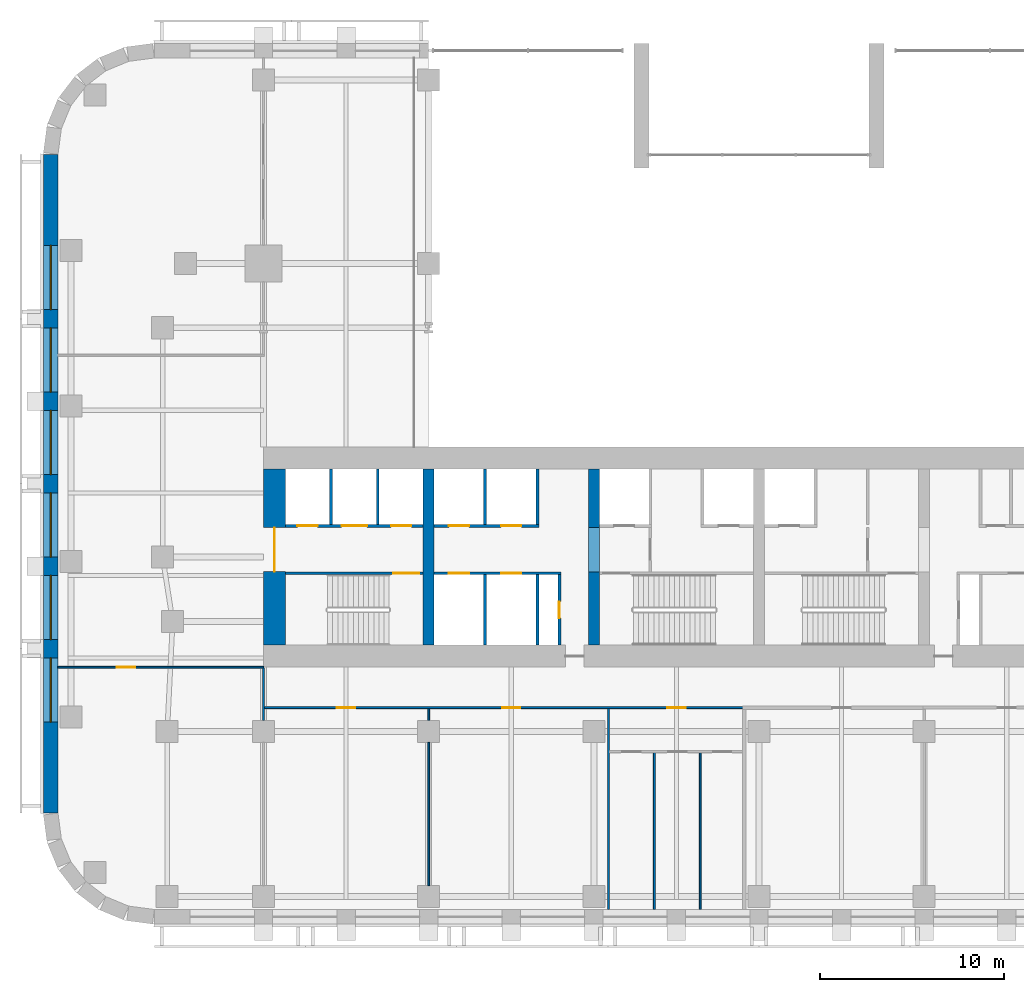
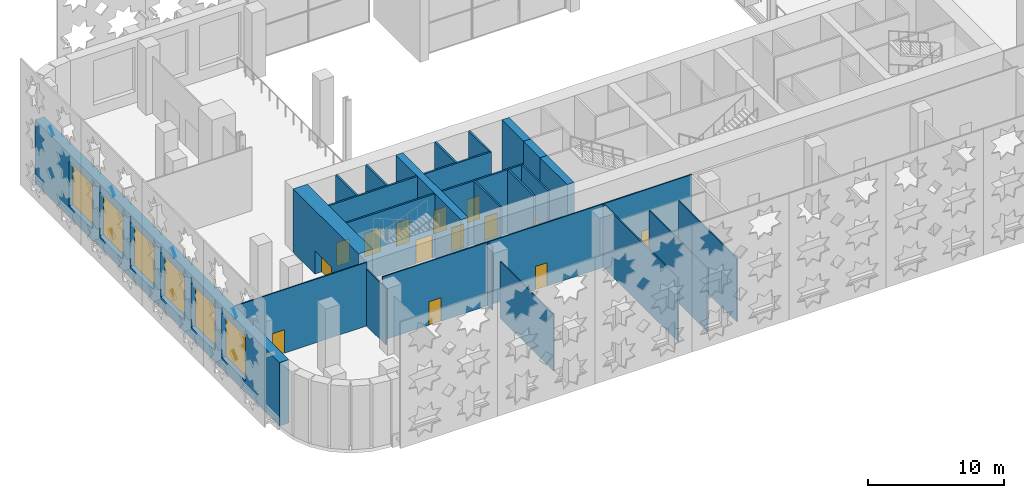
# One storey, part 5 of 17: 25 walls, 14 doors, 6 windows, 20 openings.
"""IFC4 building model written with IfcOpenShell, lengths in metres."""

from ifc_helpers import new_model, si_unit, direction, frame, frame_2d, origin, place, context, subcontext, project, spatial, rectangle, extrude, material, layer, layer_set, type_object, element, fill, save


model = new_model("IFC4")

# Units and contexts
model_context = context("Model", 3, precision=1e-05, world=origin(), true_north=direction((0.0, 1.0)))
body_context = subcontext(model_context, "Body", "Model", "MODEL_VIEW")
ifc_project = project(units=[si_unit("LENGTHUNIT", "METRE"), si_unit("AREAUNIT", "SQUARE_METRE"), si_unit("VOLUMEUNIT", "CUBIC_METRE"), si_unit("PLANEANGLEUNIT", "RADIAN"), si_unit("MASSUNIT", "GRAM", prefix="KILO")], contexts=[model_context])

# Site, building, storey
site_placement = place(None, origin())
site = spatial("IfcSite", under=ifc_project, at=site_placement, CompositionType="ELEMENT")
building_placement = place(site_placement, origin())
building = spatial("IfcBuilding", under=site, at=building_placement, Name="Zellij Exchange Tower", CompositionType="ELEMENT")
storey_placement = place(building_placement, frame((0.0, 0.0, 9.0)))
storey = spatial("IfcBuildingStorey", under=building, at=storey_placement, Name="L01", CompositionType="ELEMENT", Elevation=9.0)

# Walls
ifc_material_1 = material(Name="Concrete C70/85", Category="concrete")
ifc_layer_1 = layer(ifc_material_1, 0.60009765625)
ifc_layer_set_1 = layer_set([ifc_layer_1], Name="Concrete C70/85")
wall_type_1 = type_object("IfcWallType", Name="CORE-CW 600 C70/85", PredefinedType="SHEAR", material=ifc_layer_set_1)
wall_1_placement = place(storey_placement, frame((-18.0, -12.800048828125, 0.0), z_axis=(0.0, 0.0, 1.0), x_axis=(0.0, 1.0, 0.0)))
element("IfcWall", 1, at=wall_1_placement, inside=storey, type_object=wall_type_1, Name="Core cross wall x -18 L01", PredefinedType="SHEAR", context=body_context, shape_type="SweptSolid", body=[
    extrude(rectangle(XDim=9.60009765625, YDim=0.60009765625, at=frame_2d((4.800048828125, 0.0))), origin(), (0.0, 0.0, 1.0), 5.699951171875),
])
wall_2_placement = place(storey_placement, frame((-9.0, -12.800048828125, 0.0), z_axis=(0.0, 0.0, 1.0), x_axis=(0.0, 1.0, 0.0)))
element("IfcWall", 2, at=wall_2_placement, inside=storey, type_object=wall_type_1, Name="Core cross wall pier x -9 a L01", PredefinedType="SHEAR", context=body_context, shape_type="SweptSolid", body=[
    extrude(rectangle(XDim=4.0, YDim=0.60009765625, at=frame_2d((2.0, 0.0))), origin(), (0.0, 0.0, 1.0), 5.699951171875),
])
wall_3_placement = place(storey_placement, frame((-9.0, -6.375, 0.0), z_axis=(0.0, 0.0, 1.0), x_axis=(0.0, 1.0, 0.0)))
element("IfcWall", 3, at=wall_3_placement, inside=storey, type_object=wall_type_1, Name="Core cross wall pier x -9 b L01", PredefinedType="SHEAR", context=body_context, shape_type="SweptSolid", body=[
    extrude(rectangle(XDim=3.175048828125, YDim=0.60009765625, at=frame_2d((1.58740234375, 0.0))), origin(), (0.0, 0.0, 1.0), 5.699951171875),
])
wall_4_placement = place(storey_placement, frame((-9.0, -8.800048828125, 3.60009765625), z_axis=(0.0, 0.0, 1.0), x_axis=(0.0, 1.0, 0.0)))
element("IfcWall", 4, at=wall_4_placement, inside=storey, type_object=wall_type_1, Name="Core cross wall over opening x -9 L01", PredefinedType="SHEAR", context=body_context, shape_type="SweptSolid", body=[
    extrude(rectangle(XDim=2.425048828125, YDim=0.60009765625, at=frame_2d((1.21240234375, 0.0))), origin(), (0.0, 0.0, 1.0), 2.099853515625),
])

# Wall, opening, door
ifc_material_2 = material(Name="Gypsum board partition")
ifc_layer_2 = layer(ifc_material_2, 0.14990234375)
ifc_layer_set_2 = layer_set([ifc_layer_2], Name="Gypsum board partition")
wall_type_2 = type_object("IfcWallType", Name="CORE-PW 150 Lift lobby wall", PredefinedType="PARTITIONING", material=ifc_layer_set_2)
wall_5_placement = place(storey_placement, frame((-10.875, -12.800048828125, 0.0), z_axis=(0.0, 0.0, 1.0), x_axis=(0.0, 1.0, 0.0)))
wall_5 = element("IfcWall", 5, at=wall_5_placement, inside=storey, type_object=wall_type_2, Name="Lift lobby wall L01", PredefinedType="PARTITIONING", context=body_context, shape_type="SweptSolid", body=[
    extrude(rectangle(XDim=3.85009765625, YDim=0.14990234375, at=frame_2d((1.925048828125, 0.0))), origin(), (0.0, 0.0, 1.0), 5.699951171875),
])
opening_1_placement = place(wall_5_placement, frame((1.47509765625, 0.0, 0.0)))
opening_1 = element("IfcOpeningElement", 6, at=opening_1_placement, cuts=wall_5, Name="Opening CA-04.10", PredefinedType="OPENING", context=body_context, shape_type="SweptSolid", body=[
    extrude(rectangle(XDim=0.89990234375, YDim=2.10009765625, at=frame_2d((0.449951171875, 1.050048828125))), frame((0.0, 0.0869140625, 0.0), z_axis=(0.0, -1.0, 0.0), x_axis=(1.0, 0.0, 0.0)), (0.0, 0.0, 1.0), 0.173828125),
])
ifc_material_3 = material(Name="Hollow metal fire door")
door_type_1 = type_object("IfcDoorType", Name="CORE-D RD Riser door 900x2100 1.5 HR", OperationType="NOTDEFINED", PredefinedType="DOOR", material=ifc_material_3)
door_1_placement = place(opening_1_placement, origin())
door_1 = element("IfcDoor", 7, at=door_1_placement, inside=storey, type_object=door_type_1, Name="Riser door CA-04.10", OperationType="SINGLE_SWING_RIGHT", OverallHeight=2.10009765625, OverallWidth=0.89990234375, PredefinedType="DOOR", context=body_context, shape_type="SweptSolid", body=[
    extrude(rectangle(XDim=0.89990234375, YDim=2.10009765625, at=frame_2d((0.449951171875, 1.050048828125))), frame((0.0, 0.02490234375, 0.0), z_axis=(0.0, -1.0, 0.0), x_axis=(1.0, 0.0, 0.0)), (0.0, 0.0, 1.0), 0.050048828125),
])
fill(opening_1, door_1)

# Walls
ifc_material_4 = material(Name="Gypsum shaft wall system")
ifc_layer_3 = layer(ifc_material_4, 0.14990234375)
ifc_layer_set_3 = layer_set([ifc_layer_3], Name="Gypsum shaft wall system")
wall_type_3 = type_object("IfcWallType", Name="CORE-PW 150 Lift shaft wall", PredefinedType="PARTITIONING", material=ifc_layer_set_3)
for number, where, z_axis, x_axis, name in (
    (8, (-20.77490234375, -6.22509765625, 0.0), (0.0, 0.0, 1.0), (0.0, 1.0, 0.0), "Lift shaft wall L01"),
    (9, (-23.324951171875, -6.22509765625, 0.0), (0.0, 0.0, 1.0), (0.0, 1.0, 0.0), "Lift shaft wall L01"),
    (10, (-12.074951171875, -6.22509765625, 0.0), (0.0, 0.0, 1.0), (0.0, 1.0, 0.0), "Lift shaft wall L01"),
    (11, (-14.925048828125, -6.22509765625, 0.0), (0.0, 0.0, 1.0), (0.0, 1.0, 0.0), "Lift shaft wall L01"),
):
    element("IfcWall", number, at=place(storey_placement, frame(where, z_axis=z_axis, x_axis=x_axis)), inside=storey, type_object=wall_type_3, Name=name, PredefinedType="PARTITIONING", context=body_context, shape_type="SweptSolid", body=[
        extrude(rectangle(XDim=3.025146484375, YDim=0.14990234375, at=frame_2d((1.5126953125, 0.0))), origin(), (0.0, 0.0, 1.0), 5.699951171875),
    ])
for number, where, z_axis, x_axis, name in (
    (12, (-12.074951171875, -12.800048828125, 0.0), (0.0, 0.0, 1.0), (0.0, 1.0, 0.0), "Lift shaft wall L01"),
    (13, (-14.925048828125, -12.800048828125, 0.0), (0.0, 0.0, 1.0), (0.0, 1.0, 0.0), "Lift shaft wall L01"),
):
    element("IfcWall", number, at=place(storey_placement, frame(where, z_axis=z_axis, x_axis=x_axis)), inside=storey, type_object=wall_type_3, Name=name, PredefinedType="PARTITIONING", context=body_context, shape_type="SweptSolid", body=[
        extrude(rectangle(XDim=3.85009765625, YDim=0.14990234375, at=frame_2d((1.925048828125, 0.0))), origin(), (0.0, 0.0, 1.0), 5.699951171875),
    ])

# Wall, openings, doors
wall_6_placement = place(storey_placement, frame((-25.800048828125, -6.300048828125, 0.0), z_axis=(0.0, 0.0, 1.0), x_axis=(1.0, 0.0, 0.0)))
wall_6 = element("IfcWall", 14, at=wall_6_placement, inside=storey, type_object=wall_type_3, Name="Lift shaft wall L01", PredefinedType="PARTITIONING", context=body_context, shape_type="SweptSolid", body=[
    extrude(rectangle(XDim=7.5, YDim=0.14990234375, at=frame_2d((3.75, 0.0))), origin(), (0.0, 0.0, 1.0), 5.699951171875),
])
opening_2_placement = place(wall_6_placement, frame((0.64990234375, 0.0, 0.0)))
opening_2 = element("IfcOpeningElement", 15, at=opening_2_placement, cuts=wall_6, Name="Opening CA-04.02", PredefinedType="OPENING", context=body_context, shape_type="SweptSolid", body=[
    extrude(rectangle(XDim=1.10009765625, YDim=2.10009765625, at=frame_2d((0.550048828125, 1.050048828125))), frame((0.0, 0.0869140625, 0.0), z_axis=(0.0, -1.0, 0.0), x_axis=(1.0, 0.0, 0.0)), (0.0, 0.0, 1.0), 0.173828125),
])
opening_3_placement = place(wall_6_placement, frame((3.050048828125, 0.0, 0.0)))
opening_3 = element("IfcOpeningElement", 16, at=opening_3_placement, cuts=wall_6, Name="Opening CA-04.03", PredefinedType="OPENING", context=body_context, shape_type="SweptSolid", body=[
    extrude(rectangle(XDim=1.39990234375, YDim=2.10009765625, at=frame_2d((0.699951171875, 1.050048828125))), frame((0.0, 0.0869140625, 0.0), z_axis=(0.0, -1.0, 0.0), x_axis=(1.0, 0.0, 0.0)), (0.0, 0.0, 1.0), 0.173828125),
])
opening_4_placement = place(wall_6_placement, frame((5.75, 0.0, 0.0)))
opening_4 = element("IfcOpeningElement", 17, at=opening_4_placement, cuts=wall_6, Name="Opening CA-04.04", PredefinedType="OPENING", context=body_context, shape_type="SweptSolid", body=[
    extrude(rectangle(XDim=1.10009765625, YDim=2.10009765625, at=frame_2d((0.550048828125, 1.050048828125))), frame((0.0, 0.0869140625, 0.0), z_axis=(0.0, -1.0, 0.0), x_axis=(1.0, 0.0, 0.0)), (0.0, 0.0, 1.0), 0.173828125),
])
door_type_2 = type_object("IfcDoorType", Name="CORE-D LD Lift landing door 1100x2100 1.5 HR", OperationType="NOTDEFINED", PredefinedType="DOOR", material=ifc_material_3)
door_2_placement = place(opening_2_placement, origin())
door_2 = element("IfcDoor", 18, at=door_2_placement, inside=storey, type_object=door_type_2, Name="Lift landing door CA-04.02", OperationType="SLIDING_TO_RIGHT", OverallHeight=2.10009765625, OverallWidth=1.10009765625, PredefinedType="DOOR", context=body_context, shape_type="SweptSolid", body=[
    extrude(rectangle(XDim=1.10009765625, YDim=2.10009765625, at=frame_2d((0.550048828125, 1.050048828125))), frame((0.0, 0.02490234375, 0.0), z_axis=(0.0, -1.0, 0.0), x_axis=(1.0, 0.0, 0.0)), (0.0, 0.0, 1.0), 0.050048828125),
])
fill(opening_2, door_2)
door_3_placement = place(opening_4_placement, origin())
door_3 = element("IfcDoor", 19, at=door_3_placement, inside=storey, type_object=door_type_2, Name="Lift landing door CA-04.04", OperationType="SLIDING_TO_RIGHT", OverallHeight=2.10009765625, OverallWidth=1.10009765625, PredefinedType="DOOR", context=body_context, shape_type="SweptSolid", body=[
    extrude(rectangle(XDim=1.10009765625, YDim=2.10009765625, at=frame_2d((0.550048828125, 1.050048828125))), frame((0.0, 0.02490234375, 0.0), z_axis=(0.0, -1.0, 0.0), x_axis=(1.0, 0.0, 0.0)), (0.0, 0.0, 1.0), 0.050048828125),
])
fill(opening_4, door_3)
door_type_3 = type_object("IfcDoorType", Name="CORE-D LD2 Service lift landing door 1400x2100 1.5 HR", OperationType="NOTDEFINED", PredefinedType="DOOR", material=ifc_material_3)
door_4_placement = place(opening_3_placement, origin())
door_4 = element("IfcDoor", 20, at=door_4_placement, inside=storey, type_object=door_type_3, Name="Service lift landing door CA-04.03", OperationType="SLIDING_TO_LEFT", OverallHeight=2.10009765625, OverallWidth=1.39990234375, PredefinedType="DOOR", context=body_context, shape_type="SweptSolid", body=[
    extrude(rectangle(XDim=1.39990234375, YDim=2.10009765625, at=frame_2d((0.699951171875, 1.050048828125))), frame((0.0, 0.02490234375, 0.0), z_axis=(0.0, -1.0, 0.0), x_axis=(1.0, 0.0, 0.0)), (0.0, 0.0, 1.0), 0.050048828125),
])
fill(opening_3, door_4)

wall_7_placement = place(storey_placement, frame((-17.699951171875, -6.300048828125, 0.0), z_axis=(0.0, 0.0, 1.0), x_axis=(1.0, 0.0, 0.0)))
wall_7 = element("IfcWall", 21, at=wall_7_placement, inside=storey, type_object=wall_type_3, Name="Lift shaft wall L01", PredefinedType="PARTITIONING", context=body_context, shape_type="SweptSolid", body=[
    extrude(rectangle(XDim=5.699951171875, YDim=0.14990234375, at=frame_2d((2.85009765625, 0.0))), origin(), (0.0, 0.0, 1.0), 5.699951171875),
])
opening_5_placement = place(wall_7_placement, frame((0.800048828125, 0.0, 0.0)))
opening_5 = element("IfcOpeningElement", 22, at=opening_5_placement, cuts=wall_7, Name="Opening CA-04.07", PredefinedType="OPENING", context=body_context, shape_type="SweptSolid", body=[
    extrude(rectangle(XDim=1.10009765625, YDim=2.10009765625, at=frame_2d((0.550048828125, 1.050048828125))), frame((0.0, 0.0869140625, 0.0), z_axis=(0.0, -1.0, 0.0), x_axis=(1.0, 0.0, 0.0)), (0.0, 0.0, 1.0), 0.173828125),
])
opening_6_placement = place(wall_7_placement, frame((3.64990234375, 0.0, 0.0)))
opening_6 = element("IfcOpeningElement", 23, at=opening_6_placement, cuts=wall_7, Name="Opening CA-04.09", PredefinedType="OPENING", context=body_context, shape_type="SweptSolid", body=[
    extrude(rectangle(XDim=1.10009765625, YDim=2.10009765625, at=frame_2d((0.550048828125, 1.050048828125))), frame((0.0, 0.0869140625, 0.0), z_axis=(0.0, -1.0, 0.0), x_axis=(1.0, 0.0, 0.0)), (0.0, 0.0, 1.0), 0.173828125),
])
door_5_placement = place(opening_5_placement, origin())
door_5 = element("IfcDoor", 24, at=door_5_placement, inside=storey, type_object=door_type_2, Name="Lift landing door CA-04.07", OperationType="SLIDING_TO_LEFT", OverallHeight=2.10009765625, OverallWidth=1.10009765625, PredefinedType="DOOR", context=body_context, shape_type="SweptSolid", body=[
    extrude(rectangle(XDim=1.10009765625, YDim=2.10009765625, at=frame_2d((0.550048828125, 1.050048828125))), frame((0.0, 0.02490234375, 0.0), z_axis=(0.0, -1.0, 0.0), x_axis=(1.0, 0.0, 0.0)), (0.0, 0.0, 1.0), 0.050048828125),
])
fill(opening_5, door_5)
door_6_placement = place(opening_6_placement, origin())
door_6 = element("IfcDoor", 25, at=door_6_placement, inside=storey, type_object=door_type_2, Name="Lift landing door CA-04.09", OperationType="SLIDING_TO_LEFT", OverallHeight=2.10009765625, OverallWidth=1.10009765625, PredefinedType="DOOR", context=body_context, shape_type="SweptSolid", body=[
    extrude(rectangle(XDim=1.10009765625, YDim=2.10009765625, at=frame_2d((0.550048828125, 1.050048828125))), frame((0.0, 0.02490234375, 0.0), z_axis=(0.0, -1.0, 0.0), x_axis=(1.0, 0.0, 0.0)), (0.0, 0.0, 1.0), 0.050048828125),
])
fill(opening_6, door_6)

wall_8_placement = place(storey_placement, frame((-17.699951171875, -8.875, 0.0), z_axis=(0.0, 0.0, 1.0), x_axis=(1.0, 0.0, 0.0)))
wall_8 = element("IfcWall", 26, at=wall_8_placement, inside=storey, type_object=wall_type_3, Name="Lift shaft wall L01", PredefinedType="PARTITIONING", context=body_context, shape_type="SweptSolid", body=[
    extrude(rectangle(XDim=6.89990234375, YDim=0.14990234375, at=frame_2d((3.449951171875, 0.0))), origin(), (0.0, 0.0, 1.0), 5.699951171875),
])
opening_7_placement = place(wall_8_placement, frame((0.800048828125, 0.0, 0.0)))
opening_7 = element("IfcOpeningElement", 27, at=opening_7_placement, cuts=wall_8, Name="Opening CA-04.06", PredefinedType="OPENING", context=body_context, shape_type="SweptSolid", body=[
    extrude(rectangle(XDim=1.10009765625, YDim=2.10009765625, at=frame_2d((0.550048828125, 1.050048828125))), frame((0.0, 0.0869140625, 0.0), z_axis=(0.0, -1.0, 0.0), x_axis=(1.0, 0.0, 0.0)), (0.0, 0.0, 1.0), 0.173828125),
])
opening_8_placement = place(wall_8_placement, frame((3.64990234375, 0.0, 0.0)))
opening_8 = element("IfcOpeningElement", 28, at=opening_8_placement, cuts=wall_8, Name="Opening CA-04.08", PredefinedType="OPENING", context=body_context, shape_type="SweptSolid", body=[
    extrude(rectangle(XDim=1.10009765625, YDim=2.10009765625, at=frame_2d((0.550048828125, 1.050048828125))), frame((0.0, 0.0869140625, 0.0), z_axis=(0.0, -1.0, 0.0), x_axis=(1.0, 0.0, 0.0)), (0.0, 0.0, 1.0), 0.173828125),
])
door_7_placement = place(opening_7_placement, origin())
door_7 = element("IfcDoor", 29, at=door_7_placement, inside=storey, type_object=door_type_2, Name="Lift landing door CA-04.06", OperationType="SLIDING_TO_RIGHT", OverallHeight=2.10009765625, OverallWidth=1.10009765625, PredefinedType="DOOR", context=body_context, shape_type="SweptSolid", body=[
    extrude(rectangle(XDim=1.10009765625, YDim=2.10009765625, at=frame_2d((0.550048828125, 1.050048828125))), frame((0.0, 0.02490234375, 0.0), z_axis=(0.0, -1.0, 0.0), x_axis=(1.0, 0.0, 0.0)), (0.0, 0.0, 1.0), 0.050048828125),
])
fill(opening_7, door_7)
door_8_placement = place(opening_8_placement, origin())
door_8 = element("IfcDoor", 30, at=door_8_placement, inside=storey, type_object=door_type_2, Name="Lift landing door CA-04.08", OperationType="SLIDING_TO_RIGHT", OverallHeight=2.10009765625, OverallWidth=1.10009765625, PredefinedType="DOOR", context=body_context, shape_type="SweptSolid", body=[
    extrude(rectangle(XDim=1.10009765625, YDim=2.10009765625, at=frame_2d((0.550048828125, 1.050048828125))), frame((0.0, 0.02490234375, 0.0), z_axis=(0.0, -1.0, 0.0), x_axis=(1.0, 0.0, 0.0)), (0.0, 0.0, 1.0), 0.050048828125),
])
fill(opening_8, door_8)

# Wall, opening, door
ifc_layer_4 = layer(ifc_material_1, 1.199951171875)
ifc_layer_set_4 = layer_set([ifc_layer_4], Name="Concrete C70/85")
wall_type_4 = type_object("IfcWallType", Name="CORE-SW 1200 C70/85", PredefinedType="SHEAR", material=ifc_layer_set_4)
wall_9_placement = place(storey_placement, frame((-26.39990234375, -12.800048828125, 0.0), z_axis=(0.0, 0.0, 1.0), x_axis=(0.0, 1.0, 0.0)))
wall_9 = element("IfcWall", 31, at=wall_9_placement, inside=storey, type_object=wall_type_4, Name="Core shear wall end w L01", PredefinedType="SHEAR", context=body_context, shape_type="SweptSolid", body=[
    extrude(rectangle(XDim=9.60009765625, YDim=1.199951171875, at=frame_2d((4.800048828125, 0.0))), origin(), (0.0, 0.0, 1.0), 5.699951171875),
])
opening_9_placement = place(wall_9_placement, frame((4.011962890625, 0.0, 0.0)))
opening_9 = element("IfcOpeningElement", 32, at=opening_9_placement, cuts=wall_9, Name="Opening CA-04.01", PredefinedType="OPENING", context=body_context, shape_type="SweptSolid", body=[
    extrude(rectangle(XDim=2.39990234375, YDim=2.10009765625, at=frame_2d((1.199951171875, 1.050048828125))), frame((0.0, 0.61181640625, 0.0), z_axis=(0.0, -1.0, 0.0), x_axis=(1.0, 0.0, 0.0)), (0.0, 0.0, 1.0), 1.223876953125),
])
door_type_4 = type_object("IfcDoorType", Name="CORE-D CE Core entrance door 2400x2100 20 MIN", OperationType="NOTDEFINED", PredefinedType="DOOR", material=ifc_material_3)
door_9_placement = place(opening_9_placement, origin())
door_9 = element("IfcDoor", 33, at=door_9_placement, inside=storey, type_object=door_type_4, Name="Core entrance door CA-04.01", OperationType="DOUBLE_DOOR_SINGLE_SWING", OverallHeight=2.10009765625, OverallWidth=2.39990234375, PredefinedType="DOOR", context=body_context, shape_type="SweptSolid", body=[
    extrude(rectangle(XDim=2.39990234375, YDim=2.10009765625, at=frame_2d((1.199951171875, 1.050048828125))), frame((0.0, 0.02490234375, 0.0), z_axis=(0.0, -1.0, 0.0), x_axis=(1.0, 0.0, 0.0)), (0.0, 0.0, 1.0), 0.050048828125),
])
fill(opening_9, door_9)

ifc_layer_5 = layer(ifc_material_1, 0.14990234375)
ifc_layer_set_5 = layer_set([ifc_layer_5], Name="Concrete C70/85")
wall_type_5 = type_object("IfcWallType", Name="CORE-SWS 150 C70/85", PredefinedType="SHEAR", material=ifc_layer_set_5)
wall_10_placement = place(storey_placement, frame((-25.800048828125, -8.875, 0.0), z_axis=(0.0, 0.0, 1.0), x_axis=(1.0, 0.0, 0.0)))
wall_10 = element("IfcWall", 34, at=wall_10_placement, inside=storey, type_object=wall_type_5, Name="Stair enclosure wall L01", PredefinedType="SHEAR", context=body_context, shape_type="SweptSolid", body=[
    extrude(rectangle(XDim=7.5, YDim=0.14990234375, at=frame_2d((3.75, 0.0))), origin(), (0.0, 0.0, 1.0), 5.699951171875),
])
opening_10_placement = place(wall_10_placement, frame((5.875, 0.0, 0.0)))
opening_10 = element("IfcOpeningElement", 35, at=opening_10_placement, cuts=wall_10, Name="Opening CA-04.05", PredefinedType="OPENING", context=body_context, shape_type="SweptSolid", body=[
    extrude(rectangle(XDim=1.39990234375, YDim=2.10009765625, at=frame_2d((0.699951171875, 1.050048828125))), frame((0.0, 0.0869140625, 0.0), z_axis=(0.0, -1.0, 0.0), x_axis=(1.0, 0.0, 0.0)), (0.0, 0.0, 1.0), 0.173828125),
])
door_type_5 = type_object("IfcDoorType", Name="CORE-D SD Stair door 1400x2100 1.5 HR", OperationType="NOTDEFINED", PredefinedType="DOOR", material=ifc_material_3)
door_10_placement = place(opening_10_placement, origin())
door_10 = element("IfcDoor", 36, at=door_10_placement, inside=storey, type_object=door_type_5, Name="Stair door CA-04.05", OperationType="DOUBLE_DOOR_SINGLE_SWING", OverallHeight=2.10009765625, OverallWidth=1.39990234375, PredefinedType="DOOR", context=body_context, shape_type="SweptSolid", body=[
    extrude(rectangle(XDim=1.39990234375, YDim=2.10009765625, at=frame_2d((0.699951171875, 1.050048828125))), frame((0.0, 0.02490234375, 0.0), z_axis=(0.0, -1.0, 0.0), x_axis=(1.0, 0.0, 0.0)), (0.0, 0.0, 1.0), 0.050048828125),
])
fill(opening_10, door_10)

# Wall, openings, windows
ifc_material_5 = material(Name="Precast concrete C40/50", Category="concrete")
ifc_layer_6 = layer(ifc_material_5, 0.800048828125)
ifc_layer_set_6 = layer_set([ifc_layer_6], Name="Precast concrete C40/50")
wall_type_6 = type_object("IfcWallType", Name="ENV-EW1 Precast stone-piered wall 800", PredefinedType="SOLIDWALL", material=ifc_layer_set_6)
wall_11_placement = place(storey_placement, frame((-38.60009765625, 13.947509765625, 0.0), z_axis=(0.0, 0.0, 1.0), x_axis=(0.0, -1.0, 0.0)))
wall_11 = element("IfcWall", 37, at=wall_11_placement, inside=storey, type_object=wall_type_6, Name="fac.L01.21", PredefinedType="SOLIDWALL", context=body_context, shape_type="SweptSolid", body=[
    extrude(rectangle(XDim=35.89501953125, YDim=0.800048828125, at=frame_2d((17.947509765625, 0.0))), origin(), (0.0, 0.0, 1.0), 5.699951171875),
])
opening_11_placement = place(wall_11_placement, frame((4.9638671875, 0.0, 1.0)))
opening_11 = element("IfcOpeningElement", 38, at=opening_11_placement, cuts=wall_11, Name="Opening FP.27", PredefinedType="OPENING", context=body_context, shape_type="SweptSolid", body=[
    extrude(rectangle(XDim=3.5, YDim=4.0, at=frame_2d((1.75, 2.0))), frame((0.0, 0.412109375, 0.0), z_axis=(0.0, -1.0, 0.0), x_axis=(1.0, 0.0, 0.0)), (0.0, 0.0, 1.0), 0.823974609375),
])
opening_12_placement = place(wall_11_placement, frame((9.45751953125, 0.0, 1.0)))
opening_12 = element("IfcOpeningElement", 39, at=opening_12_placement, cuts=wall_11, Name="Opening FP.28", PredefinedType="OPENING", context=body_context, shape_type="SweptSolid", body=[
    extrude(rectangle(XDim=3.5, YDim=4.0, at=frame_2d((1.75, 2.0))), frame((0.0, 0.412109375, 0.0), z_axis=(0.0, -1.0, 0.0), x_axis=(1.0, 0.0, 0.0)), (0.0, 0.0, 1.0), 0.823974609375),
])
opening_13_placement = place(wall_11_placement, frame((13.950927734375, 0.0, 1.0)))
opening_13 = element("IfcOpeningElement", 40, at=opening_13_placement, cuts=wall_11, Name="Opening FP.29", PredefinedType="OPENING", context=body_context, shape_type="SweptSolid", body=[
    extrude(rectangle(XDim=3.5, YDim=4.0, at=frame_2d((1.75, 2.0))), frame((0.0, 0.412109375, 0.0), z_axis=(0.0, -1.0, 0.0), x_axis=(1.0, 0.0, 0.0)), (0.0, 0.0, 1.0), 0.823974609375),
])
opening_14_placement = place(wall_11_placement, frame((18.4443359375, 0.0, 1.0)))
opening_14 = element("IfcOpeningElement", 41, at=opening_14_placement, cuts=wall_11, Name="Opening FP.30", PredefinedType="OPENING", context=body_context, shape_type="SweptSolid", body=[
    extrude(rectangle(XDim=3.5, YDim=4.0, at=frame_2d((1.75, 2.0))), frame((0.0, 0.412109375, 0.0), z_axis=(0.0, -1.0, 0.0), x_axis=(1.0, 0.0, 0.0)), (0.0, 0.0, 1.0), 0.823974609375),
])
opening_15_placement = place(wall_11_placement, frame((22.937744140625, 0.0, 1.0)))
opening_15 = element("IfcOpeningElement", 42, at=opening_15_placement, cuts=wall_11, Name="Opening FP.31", PredefinedType="OPENING", context=body_context, shape_type="SweptSolid", body=[
    extrude(rectangle(XDim=3.5, YDim=4.0, at=frame_2d((1.75, 2.0))), frame((0.0, 0.412109375, 0.0), z_axis=(0.0, -1.0, 0.0), x_axis=(1.0, 0.0, 0.0)), (0.0, 0.0, 1.0), 0.823974609375),
])
opening_16_placement = place(wall_11_placement, frame((27.43115234375, 0.0, 1.0)))
opening_16 = element("IfcOpeningElement", 43, at=opening_16_placement, cuts=wall_11, Name="Opening FP.32", PredefinedType="OPENING", context=body_context, shape_type="SweptSolid", body=[
    extrude(rectangle(XDim=3.5, YDim=4.0, at=frame_2d((1.75, 2.0))), frame((0.0, 0.412109375, 0.0), z_axis=(0.0, -1.0, 0.0), x_axis=(1.0, 0.0, 0.0)), (0.0, 0.0, 1.0), 0.823974609375),
])
ifc_material_6 = material(Name="Aluminium frame with insulating glass", Category="aluminium")
window_type = type_object("IfcWindowType", Name="ENV-W2 Window 3500x4000", PartitioningType="SINGLE_PANEL", PredefinedType="WINDOW", material=ifc_material_6)
window_1_placement = place(opening_11_placement, origin())
window_1 = element("IfcWindow", 44, at=window_1_placement, inside=storey, type_object=window_type, Name="Window FP.27", OverallHeight=4.0, OverallWidth=3.5, PartitioningType="SINGLE_PANEL", PredefinedType="WINDOW", context=body_context, shape_type="SweptSolid", body=[
    extrude(rectangle(XDim=3.5, YDim=4.0, at=frame_2d((1.75, 2.0))), frame((0.0, 0.030029296875, 0.0), z_axis=(0.0, -1.0, 0.0), x_axis=(1.0, 0.0, 0.0)), (0.0, 0.0, 1.0), 0.06005859375),
])
fill(opening_11, window_1)
window_2_placement = place(opening_12_placement, origin())
window_2 = element("IfcWindow", 45, at=window_2_placement, inside=storey, type_object=window_type, Name="Window FP.28", OverallHeight=4.0, OverallWidth=3.5, PartitioningType="SINGLE_PANEL", PredefinedType="WINDOW", context=body_context, shape_type="SweptSolid", body=[
    extrude(rectangle(XDim=3.5, YDim=4.0, at=frame_2d((1.75, 2.0))), frame((0.0, 0.030029296875, 0.0), z_axis=(0.0, -1.0, 0.0), x_axis=(1.0, 0.0, 0.0)), (0.0, 0.0, 1.0), 0.06005859375),
])
fill(opening_12, window_2)
window_3_placement = place(opening_13_placement, origin())
window_3 = element("IfcWindow", 46, at=window_3_placement, inside=storey, type_object=window_type, Name="Window FP.29", OverallHeight=4.0, OverallWidth=3.5, PartitioningType="SINGLE_PANEL", PredefinedType="WINDOW", context=body_context, shape_type="SweptSolid", body=[
    extrude(rectangle(XDim=3.5, YDim=4.0, at=frame_2d((1.75, 2.0))), frame((0.0, 0.030029296875, 0.0), z_axis=(0.0, -1.0, 0.0), x_axis=(1.0, 0.0, 0.0)), (0.0, 0.0, 1.0), 0.06005859375),
])
fill(opening_13, window_3)
window_4_placement = place(opening_14_placement, origin())
window_4 = element("IfcWindow", 47, at=window_4_placement, inside=storey, type_object=window_type, Name="Window FP.30", OverallHeight=4.0, OverallWidth=3.5, PartitioningType="SINGLE_PANEL", PredefinedType="WINDOW", context=body_context, shape_type="SweptSolid", body=[
    extrude(rectangle(XDim=3.5, YDim=4.0, at=frame_2d((1.75, 2.0))), frame((0.0, 0.030029296875, 0.0), z_axis=(0.0, -1.0, 0.0), x_axis=(1.0, 0.0, 0.0)), (0.0, 0.0, 1.0), 0.06005859375),
])
fill(opening_14, window_4)
window_5_placement = place(opening_15_placement, origin())
window_5 = element("IfcWindow", 48, at=window_5_placement, inside=storey, type_object=window_type, Name="Window FP.31", OverallHeight=4.0, OverallWidth=3.5, PartitioningType="SINGLE_PANEL", PredefinedType="WINDOW", context=body_context, shape_type="SweptSolid", body=[
    extrude(rectangle(XDim=3.5, YDim=4.0, at=frame_2d((1.75, 2.0))), frame((0.0, 0.030029296875, 0.0), z_axis=(0.0, -1.0, 0.0), x_axis=(1.0, 0.0, 0.0)), (0.0, 0.0, 1.0), 0.06005859375),
])
fill(opening_15, window_5)
window_6_placement = place(opening_16_placement, origin())
window_6 = element("IfcWindow", 49, at=window_6_placement, inside=storey, type_object=window_type, Name="Window FP.32", OverallHeight=4.0, OverallWidth=3.5, PartitioningType="SINGLE_PANEL", PredefinedType="WINDOW", context=body_context, shape_type="SweptSolid", body=[
    extrude(rectangle(XDim=3.5, YDim=4.0, at=frame_2d((1.75, 2.0))), frame((0.0, 0.030029296875, 0.0), z_axis=(0.0, -1.0, 0.0), x_axis=(1.0, 0.0, 0.0)), (0.0, 0.0, 1.0), 0.06005859375),
])
fill(opening_16, window_6)

# Walls
ifc_material_7 = material(Name="Gypsum board partition on steel studs", Category="steel")
ifc_layer_7 = layer(ifc_material_7, 0.10009765625)
ifc_layer_set_7 = layer_set([ifc_layer_7], Name="Gypsum board partition on steel studs")
wall_type_7 = type_object("IfcWallType", Name="FIT-PARTITION-100", PredefinedType="PARTITIONING", material=ifc_layer_set_7)
wall_12_placement = place(storey_placement, frame((-27.0, -16.89990234375, 0.0), z_axis=(0.0, 0.0, 1.0), x_axis=(0.0, 1.0, 0.0)))
element("IfcWall", 50, at=wall_12_placement, inside=storey, type_object=wall_type_7, Name="FIT-PARTITION-100 002", PredefinedType="PARTITIONING", context=body_context, shape_type="SweptSolid", body=[
    extrude(rectangle(XDim=2.849853515625, YDim=0.10009765625, at=frame_2d((1.4248046875, 0.0))), origin(), (0.0, 0.0, 1.0), 5.087890625),
])
wall_13_placement = place(storey_placement, frame((-18.0, -25.89990234375, 0.0), z_axis=(0.0, 0.0, 1.0), x_axis=(0.0, 1.0, 0.0)))
element("IfcWall", 51, at=wall_13_placement, inside=storey, type_object=wall_type_7, Name="FIT-PARTITION-100 003", PredefinedType="PARTITIONING", context=body_context, shape_type="SweptSolid", body=[
    extrude(rectangle(XDim=7.7998046875, YDim=0.10009765625, at=frame_2d((3.89990234375, 0.0))), origin(), (0.0, 0.0, 1.0), 5.087890625),
])
wall_14_placement = place(storey_placement, frame((-18.0, -16.89990234375, 0.0), z_axis=(0.0, 0.0, 1.0), x_axis=(0.0, 1.0, 0.0)))
element("IfcWall", 52, at=wall_14_placement, inside=storey, type_object=wall_type_7, Name="FIT-PARTITION-100 004", PredefinedType="PARTITIONING", context=body_context, shape_type="SweptSolid", body=[
    extrude(rectangle(XDim=0.64990234375, YDim=0.10009765625, at=frame_2d((0.324951171875, 0.0))), origin(), (0.0, 0.0, 1.0), 5.699951171875),
])
wall_15_placement = place(storey_placement, frame((-8.199951171875, -27.199951171875, 0.0), z_axis=(0.0, 0.0, 1.0), x_axis=(0.0, 1.0, 0.0)))
element("IfcWall", 53, at=wall_15_placement, inside=storey, type_object=wall_type_7, Name="FIT-PARTITION-100 005", PredefinedType="PARTITIONING", context=body_context, shape_type="SweptSolid", body=[
    extrude(rectangle(XDim=10.949951171875, YDim=0.10009765625, at=frame_2d((5.47509765625, 0.0))), origin(), (0.0, 0.0, 1.0), 5.699951171875),
])
for number, where, z_axis, x_axis, name in (
    (54, (-5.699951171875, -27.199951171875, 0.0), (0.0, 0.0, 1.0), (0.0, 1.0, 0.0), "FIT-PARTITION-100 006"),
    (55, (-3.199951171875, -27.199951171875, 0.0), (0.0, 0.0, 1.0), (0.0, 1.0, 0.0), "FIT-PARTITION-100 007"),
):
    element("IfcWall", number, at=place(storey_placement, frame(where, z_axis=z_axis, x_axis=x_axis)), inside=storey, type_object=wall_type_7, Name=name, PredefinedType="PARTITIONING", context=body_context, shape_type="SweptSolid", body=[
        extrude(rectangle(XDim=8.550048828125, YDim=0.10009765625, at=frame_2d((4.27490234375, 0.0))), origin(), (0.0, 0.0, 1.0), 5.699951171875),
    ])

# Wall, openings, doors
wall_16_placement = place(storey_placement, frame((-26.949951171875, -16.199951171875, 0.0), z_axis=(0.0, 0.0, 1.0), x_axis=(1.0, 0.0, 0.0)))
wall_16 = element("IfcWall", 56, at=wall_16_placement, inside=storey, type_object=wall_type_7, Name="FIT-PARTITION-100 016", PredefinedType="PARTITIONING", context=body_context, shape_type="SweptSolid", body=[
    extrude(rectangle(XDim=26.25, YDim=0.10009765625, at=frame_2d((13.125, 0.0))), origin(), (0.0, 0.0, 1.0), 5.699951171875),
])
opening_17_placement = place(wall_16_placement, frame((3.949951171875, 0.0, 0.0)))
opening_17 = element("IfcOpeningElement", 57, at=opening_17_placement, cuts=wall_16, Name="Opening P1.04", PredefinedType="OPENING", context=body_context, shape_type="SweptSolid", body=[
    extrude(rectangle(XDim=1.0, YDim=2.10009765625, at=frame_2d((0.5, 1.050048828125))), frame((0.0, 0.06201171875, 0.0), z_axis=(0.0, -1.0, 0.0), x_axis=(1.0, 0.0, 0.0)), (0.0, 0.0, 1.0), 0.1240234375),
])
opening_18_placement = place(wall_16_placement, frame((12.949951171875, 0.0, 0.0)))
opening_18 = element("IfcOpeningElement", 58, at=opening_18_placement, cuts=wall_16, Name="Opening P1.05", PredefinedType="OPENING", context=body_context, shape_type="SweptSolid", body=[
    extrude(rectangle(XDim=1.0, YDim=2.10009765625, at=frame_2d((0.5, 1.050048828125))), frame((0.0, 0.06201171875, 0.0), z_axis=(0.0, -1.0, 0.0), x_axis=(1.0, 0.0, 0.0)), (0.0, 0.0, 1.0), 0.1240234375),
])
opening_19_placement = place(wall_16_placement, frame((21.949951171875, 0.0, 0.0)))
opening_19 = element("IfcOpeningElement", 59, at=opening_19_placement, cuts=wall_16, Name="Opening P1.06", PredefinedType="OPENING", context=body_context, shape_type="SweptSolid", body=[
    extrude(rectangle(XDim=1.0, YDim=2.10009765625, at=frame_2d((0.5, 1.050048828125))), frame((0.0, 0.06201171875, 0.0), z_axis=(0.0, -1.0, 0.0), x_axis=(1.0, 0.0, 0.0)), (0.0, 0.0, 1.0), 0.1240234375),
])
ifc_material_8 = material(Name="Timber door set", Category="wood")
door_type_6 = type_object("IfcDoorType", Name="FIT-D2-WIDE-1000X2100", OperationType="SINGLE_SWING_LEFT", PredefinedType="DOOR", material=ifc_material_8)
door_11_placement = place(opening_17_placement, origin())
door_11 = element("IfcDoor", 60, at=door_11_placement, inside=storey, type_object=door_type_6, Name="Door P1.04", OperationType="SINGLE_SWING_RIGHT", OverallHeight=2.10009765625, OverallWidth=1.0, PredefinedType="DOOR", context=body_context, shape_type="SweptSolid", body=[
    extrude(rectangle(XDim=1.0, YDim=2.10009765625, at=frame_2d((0.5, 1.050048828125))), frame((0.0, 0.02490234375, 0.0), z_axis=(0.0, -1.0, 0.0), x_axis=(1.0, 0.0, 0.0)), (0.0, 0.0, 1.0), 0.050048828125),
])
fill(opening_17, door_11)
door_12_placement = place(opening_18_placement, origin())
door_12 = element("IfcDoor", 61, at=door_12_placement, inside=storey, type_object=door_type_6, Name="Door P1.05", OperationType="SINGLE_SWING_RIGHT", OverallHeight=2.10009765625, OverallWidth=1.0, PredefinedType="DOOR", context=body_context, shape_type="SweptSolid", body=[
    extrude(rectangle(XDim=1.0, YDim=2.10009765625, at=frame_2d((0.5, 1.050048828125))), frame((0.0, 0.02490234375, 0.0), z_axis=(0.0, -1.0, 0.0), x_axis=(1.0, 0.0, 0.0)), (0.0, 0.0, 1.0), 0.050048828125),
])
fill(opening_18, door_12)
door_13_placement = place(opening_19_placement, origin())
door_13 = element("IfcDoor", 62, at=door_13_placement, inside=storey, type_object=door_type_6, Name="Door P1.06", OperationType="SINGLE_SWING_LEFT", OverallHeight=2.10009765625, OverallWidth=1.0, PredefinedType="DOOR", context=body_context, shape_type="SweptSolid", body=[
    extrude(rectangle(XDim=1.0, YDim=2.10009765625, at=frame_2d((0.5, 1.050048828125))), frame((0.0, 0.02490234375, 0.0), z_axis=(0.0, -1.0, 0.0), x_axis=(1.0, 0.0, 0.0)), (0.0, 0.0, 1.0), 0.050048828125),
])
fill(opening_19, door_13)

# Wall, opening, door
wall_17_placement = place(storey_placement, frame((-38.199951171875, -14.0, 0.0), z_axis=(0.0, 0.0, 1.0), x_axis=(1.0, 0.0, 0.0)))
wall_17 = element("IfcWall", 63, at=wall_17_placement, inside=storey, type_object=wall_type_7, Name="FIT-PARTITION-100 020", PredefinedType="PARTITIONING", context=body_context, shape_type="SweptSolid", body=[
    extrude(rectangle(XDim=11.199951171875, YDim=0.10009765625, at=frame_2d((5.60009765625, 0.0))), origin(), (0.0, 0.0, 1.0), 5.699951171875),
])
opening_20_placement = place(wall_17_placement, frame((3.199951171875, 0.0, 0.0)))
opening_20 = element("IfcOpeningElement", 64, at=opening_20_placement, cuts=wall_17, Name="Opening P1.10", PredefinedType="OPENING", context=body_context, shape_type="SweptSolid", body=[
    extrude(rectangle(XDim=1.0, YDim=2.10009765625, at=frame_2d((0.5, 1.050048828125))), frame((0.0, 0.06201171875, 0.0), z_axis=(0.0, -1.0, 0.0), x_axis=(1.0, 0.0, 0.0)), (0.0, 0.0, 1.0), 0.1240234375),
])
door_14_placement = place(opening_20_placement, origin())
door_14 = element("IfcDoor", 65, at=door_14_placement, inside=storey, type_object=door_type_6, Name="Door P1.10", OperationType="SINGLE_SWING_RIGHT", OverallHeight=2.10009765625, OverallWidth=1.0, PredefinedType="DOOR", context=body_context, shape_type="SweptSolid", body=[
    extrude(rectangle(XDim=1.0, YDim=2.10009765625, at=frame_2d((0.5, 1.050048828125))), frame((0.0, 0.02490234375, 0.0), z_axis=(0.0, -1.0, 0.0), x_axis=(1.0, 0.0, 0.0)), (0.0, 0.0, 1.0), 0.050048828125),
])
fill(opening_20, door_14)

save(model, "model.ifc")
